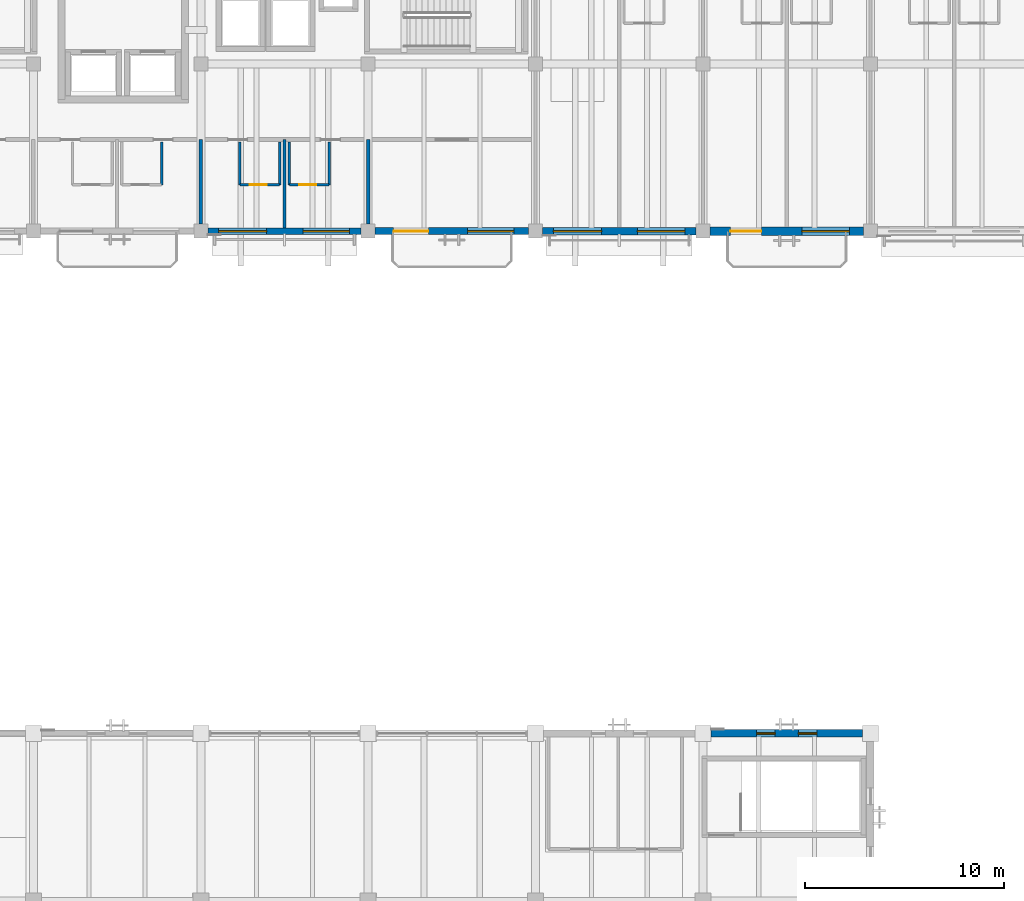
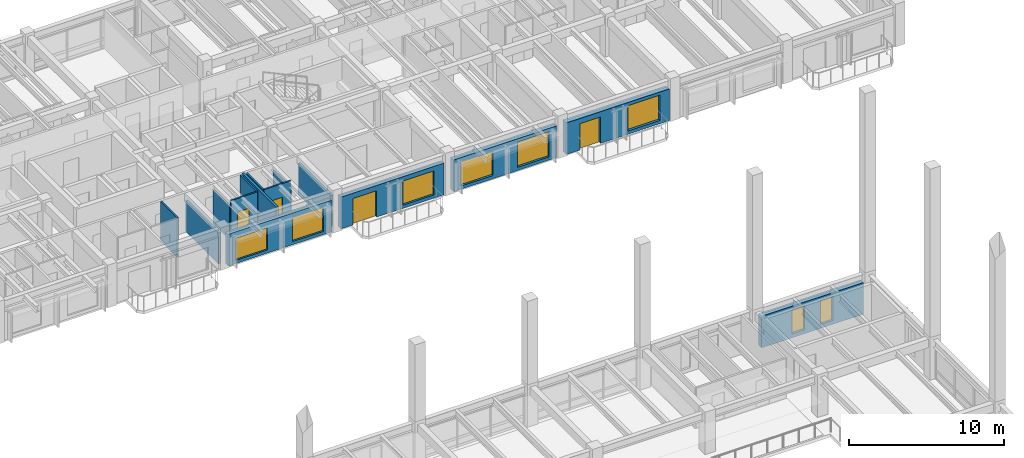
# One storey, part 35 of 64: 15 walls, 8 windows, 4 doors, 12 openings.
"""IFC4 building model written with IfcOpenShell, lengths in metres."""

import ifcopenshell
import ifcopenshell.guid

model = None  # the IFC model being written
_history = None  # IfcOwnerHistory: only IFC2X3 demands one
_inside = {}  # id of a spatial element -> (the spatial element, [elements in it])
_under = {}  # id of a project, library or spatial element -> (it, [spatial elements below it])
_declared = {}  # id of a project -> (the project, [libraries it declares])
_typed = {}  # id of a type object -> (the type object, [elements of that type])
_made_of = {}  # id of a material, layer set ... -> (it, [elements and type objects made of it])


def new_model(schema):
    """Start an empty IFC model of exactly this schema.

    Asked for "IFC4X3", IfcOpenShell would pick the latest addendum, in which some entities
    have other attributes; the version numbers below select the first issue.
    IFC2X3 requires an IfcOwnerHistory on every rooted entity: one is made here for all.
    """
    global model, _history
    if schema == "IFC4X3":
        model = ifcopenshell.file(schema_version=(4, 3, 0, 0))
    else:
        model = ifcopenshell.file(schema=schema)
    _inside.clear()
    _under.clear()
    _declared.clear()
    _typed.clear()
    _made_of.clear()
    _history = None
    if model.schema == "IFC2X3":
        org = make("IfcOrganization", Name="unknown")
        user = make(
            "IfcPersonAndOrganization",
            ThePerson=make("IfcPerson", FamilyName="unknown"),
            TheOrganization=org,
        )
        app = make(
            "IfcApplication",
            ApplicationDeveloper=org,
            Version="unknown",
            ApplicationFullName="unknown",
            ApplicationIdentifier="unknown",
        )
        _history = make(
            "IfcOwnerHistory",
            OwningUser=user,
            OwningApplication=app,
            ChangeAction="ADDED",
            CreationDate=0,
        )
    return model


def make(cls, **values):
    """One entity of the class cls with the attributes given. An attribute that is None is left unset."""
    return model.create_entity(
        cls, **{name: value for name, value in values.items() if value is not None}
    )


def rooted(cls, **values):
    """An entity with a GlobalId (a new one), such as an element, a storey or a relation."""
    return make(cls, GlobalId=ifcopenshell.guid.new(), OwnerHistory=_history, **values)


def si_unit(unit_type, name, prefix=None):
    """IfcSIUnit, for example si_unit("LENGTHUNIT", "METRE", prefix="MILLI")."""
    return make("IfcSIUnit", UnitType=unit_type, Prefix=prefix, Name=name)


def assignment(units):
    """IfcUnitAssignment: the units of a project."""
    return None if units is None else make("IfcUnitAssignment", Units=units)


def point(xyz):
    """IfcCartesianPoint."""
    return None if xyz is None else make("IfcCartesianPoint", Coordinates=xyz)


def direction(xyz):
    """IfcDirection."""
    return None if xyz is None else make("IfcDirection", DirectionRatios=xyz)


def frame(location, z_axis=None, x_axis=None):
    """IfcAxis2Placement3D, a coordinate frame: its origin and axes. An axis left out is left unset."""
    return make(
        "IfcAxis2Placement3D",
        Location=point(location),
        Axis=direction(z_axis),
        RefDirection=direction(x_axis),
    )


def frame_2d(location, x_axis=None):
    """IfcAxis2Placement2D, a coordinate frame in the plane: its origin and x axis."""
    return make(
        "IfcAxis2Placement2D", Location=point(location), RefDirection=direction(x_axis)
    )


def origin():
    """The frame at (0, 0, 0) with its axes left unset."""
    return frame((0.0, 0.0, 0.0))


def place(relative_to, where):
    """IfcLocalPlacement: puts the frame where relative to a parent placement (None: the world)."""
    return make(
        "IfcLocalPlacement", PlacementRelTo=relative_to, RelativePlacement=where
    )


def context(
    kind, dimensions, precision=None, world=None, true_north=None, identifier=None
):
    """IfcGeometricRepresentationContext, for example the 3D "Model" context."""
    return make(
        "IfcGeometricRepresentationContext",
        ContextIdentifier=identifier,
        ContextType=kind,
        CoordinateSpaceDimension=dimensions,
        Precision=precision,
        WorldCoordinateSystem=world,
        TrueNorth=true_north,
    )


def subcontext(parent, identifier, kind, view, scale=None):
    """IfcGeometricRepresentationSubContext, for example "Body" below "Model"."""
    return make(
        "IfcGeometricRepresentationSubContext",
        ContextIdentifier=identifier,
        ContextType=kind,
        ParentContext=parent,
        TargetScale=scale,
        TargetView=view,
    )


def project(units=None, contexts=None):
    """IfcProject with its units and contexts."""
    return rooted(
        "IfcProject",
        Name="project",
        RepresentationContexts=contexts,
        UnitsInContext=assignment(units),
    )


def spatial(cls, under=None, at=None, **own):
    """A site, building, storey or space (cls), placed at a placement, below another one or the project."""
    s = rooted(cls, ObjectPlacement=at, **own)
    if under is not None:
        _under.setdefault(under.id(), (under, []))[1].append(s)
    return s


def profile(cls, at=None, kind="AREA", **sizes):
    """A parametric profile (cls). Its sizes go by their IFC names, for example OverallWidth=200.0."""
    return make(cls, ProfileType=kind, Position=at, **sizes)


def rectangle(**sizes):
    """IfcRectangleProfileDef."""
    return profile("IfcRectangleProfileDef", **sizes)


def extrude(swept, where, along, depth):
    """IfcExtrudedAreaSolid: the profile swept, set in the frame where, extruded along a direction by depth."""
    return make(
        "IfcExtrudedAreaSolid",
        SweptArea=swept,
        Position=where,
        ExtrudedDirection=direction(along),
        Depth=depth,
    )


def shape(context_of_items, identifier, shape_type, items):
    """IfcShapeRepresentation: the items that make up one representation, for example the "Body"."""
    return make(
        "IfcShapeRepresentation",
        ContextOfItems=context_of_items,
        RepresentationIdentifier=identifier,
        RepresentationType=shape_type,
        Items=items,
    )


def material(Name=None, Category=None):
    """IfcMaterial."""
    return make("IfcMaterial", Name=Name, Category=Category)


def layer(
    of_material, thickness, ventilated=None, Name=None, Category=None, Priority=None
):
    """IfcMaterialLayer: one layer of a wall or slab, of a material (None: an air gap)."""
    return make(
        "IfcMaterialLayer",
        Material=of_material,
        LayerThickness=thickness,
        IsVentilated=ventilated,
        Name=Name,
        Category=Category,
        Priority=Priority,
    )


def layer_set(layers, Name=None):
    """IfcMaterialLayerSet."""
    return make("IfcMaterialLayerSet", MaterialLayers=layers, LayerSetName=Name)


def made_of(thing, what):
    """Note that an element or type object is made of a material, layer set ...; save() writes the relation."""
    if what is not None:
        _made_of.setdefault(what.id(), (what, []))[1].append(thing)
    return thing


def type_object(cls, material=None, **own):
    """A type object (cls), such as IfcWallType, which elements share."""
    return made_of(rooted(cls, **own), material)


def element(
    cls,
    number,
    at=None,
    inside=None,
    cuts=None,
    type_object=None,
    material=None,
    context=None,
    identifier="Body",
    shape_type=None,
    held_by="IfcProductDefinitionShape",
    body=None,
    shapes=None,
    **own,
):
    """One element of the class cls, such as IfcWall. Its Tag is "e" and its number.

    at: its placement. inside: the storey or other place that contains it. cuts: it is an
    opening in that element (IfcRelVoidsElement). A single representation is given by context,
    identifier, shape_type and body (its items); several are given by shapes. held_by: the class
    of the entity that holds the representations. save() writes the other relations.
    """
    e = rooted(cls, Tag="e%d" % number, ObjectPlacement=at, **own)
    if body is not None:
        shapes = [shape(context, identifier, shape_type, body)]
    if shapes is not None:
        e.Representation = make(held_by, Representations=shapes)
    if inside is not None:
        _inside.setdefault(inside.id(), (inside, []))[1].append(e)
    if cuts is not None:
        rooted(
            "IfcRelVoidsElement", RelatingBuildingElement=cuts, RelatedOpeningElement=e
        )
    if type_object is not None:
        _typed.setdefault(type_object.id(), (type_object, []))[1].append(e)
    return made_of(e, material)


def fill(opening, filler):
    """IfcRelFillsElement: the door or window that sits in an opening."""
    return rooted(
        "IfcRelFillsElement",
        RelatingOpeningElement=opening,
        RelatedBuildingElement=filler,
    )


def aggregate(whole, parts):
    """IfcRelAggregates: a whole, such as a stair, and the parts it consists of."""
    return rooted("IfcRelAggregates", RelatingObject=whole, RelatedObjects=parts)


def save(model, path):
    """Write the relations noted so far, then the file.

    IfcRelAggregates (storeys below a building ...), IfcRelContainedInSpatialStructure (elements
    in a storey), IfcRelDefinesByType, IfcRelAssociatesMaterial and IfcRelDeclares: one each for
    every whole, place, type object, material and project.
    """
    for whole, parts in _under.values():
        aggregate(whole, parts)
    for where, things in _inside.values():
        rooted(
            "IfcRelContainedInSpatialStructure",
            RelatedElements=things,
            RelatingStructure=where,
        )
    for kind, things in _typed.values():
        rooted("IfcRelDefinesByType", RelatedObjects=things, RelatingType=kind)
    for what, things in _made_of.values():
        rooted("IfcRelAssociatesMaterial", RelatedObjects=things, RelatingMaterial=what)
    for by, libraries in _declared.values():
        rooted("IfcRelDeclares", RelatingContext=by, RelatedDefinitions=libraries)
    model.write(path)


model = new_model("IFC4")

# Units and contexts
model_context = context("Model", 3, precision=1e-05, world=origin(), true_north=direction((0.0, 1.0)))
body_context = subcontext(model_context, "Body", "Model", "MODEL_VIEW")
ifc_project = project(units=[si_unit("LENGTHUNIT", "METRE"), si_unit("AREAUNIT", "SQUARE_METRE"), si_unit("VOLUMEUNIT", "CUBIC_METRE"), si_unit("PLANEANGLEUNIT", "RADIAN"), si_unit("MASSUNIT", "GRAM", prefix="KILO")], contexts=[model_context])

# Site, building, storey
site_placement = place(None, origin())
site = spatial("IfcSite", under=ifc_project, at=site_placement, CompositionType="ELEMENT")
building_placement = place(site_placement, origin())
building = spatial("IfcBuilding", under=site, at=building_placement, Name="Cumbredor Promenade Congress Hotel", CompositionType="ELEMENT")
storey_placement = place(building_placement, frame((0.0, 0.0, 18.47998046875)))
storey = spatial("IfcBuildingStorey", under=building, at=storey_placement, Name="L05", CompositionType="ELEMENT", Elevation=18.47998046875)

# Wall
ifc_material_1 = material(Name="Moisture-resistant gypsum board on steel studs", Category="steel")
ifc_layer_1 = layer(ifc_material_1, 0.114990234375, Name="Moisture-resistant gypsum board on steel studs", Category="steel")
ifc_layer_set_1 = layer_set([ifc_layer_1], Name="Moisture-resistant gypsum board on steel studs")
wall_type_1 = type_object("IfcWallType", Name="WL-BATH-115", PredefinedType="PARTITIONING", material=ifc_layer_set_1)
wall_1_placement = place(storey_placement, frame((31.639892578125, 94.72998046875, 0.0), z_axis=(0.0, 0.0, 1.0), x_axis=(0.0, 1.0, 0.0)))
element("IfcWall", 1, at=wall_1_placement, inside=storey, type_object=wall_type_1, Name="L05 Interior Partition W-L05-BV2-0578", PredefinedType="PARTITIONING", context=body_context, shape_type="SweptSolid", body=[
    extrude(rectangle(XDim=2.14990234375, YDim=0.114990234375, at=frame_2d((1.074951171875, 0.0))), origin(), (0.0, 0.0, 1.0), 3.1201171875),
])

# Wall, opening, door
wall_2_placement = place(storey_placement, frame((35.56005859375, 94.72998046875, 0.0), z_axis=(0.0, 0.0, 1.0), x_axis=(1.0, 0.0, 0.0)))
wall_2 = element("IfcWall", 2, at=wall_2_placement, inside=storey, type_object=wall_type_1, Name="L05 Interior Partition W-L05-BH-0579", PredefinedType="PARTITIONING", context=body_context, shape_type="SweptSolid", body=[
    extrude(rectangle(XDim=2.0, YDim=0.114990234375, at=frame_2d((1.0, 0.0))), origin(), (0.0, 0.0, 1.0), 3.1201171875),
])
opening_1_placement = place(wall_2_placement, frame((0.5, 0.0, 0.0)))
opening_1 = element("IfcOpeningElement", 3, at=opening_1_placement, cuts=wall_2, Name="Opening ID-01", PredefinedType="OPENING", context=body_context, shape_type="SweptSolid", body=[
    extrude(rectangle(XDim=0.860107421875, YDim=2.050048828125, at=frame_2d((0.43017578125, 1.02490234375))), frame((0.0, 0.0673828125, 0.0), z_axis=(0.0, -1.0, 0.0), x_axis=(1.0, 0.0, 0.0)), (0.0, 0.0, 1.0), 0.135009765625),
])
ifc_material_2 = material(Name="Kiln-dried tropical hardwood", Category="wood")
door_type_1 = type_object("IfcDoorType", Name="DR-BATH-860", OperationType="NOTDEFINED", PredefinedType="DOOR", material=ifc_material_2)
door_1_placement = place(opening_1_placement, origin())
door_1 = element("IfcDoor", 4, at=door_1_placement, inside=storey, type_object=door_type_1, Name="L05 Interior Door W-L05-BH-0579-01", OperationType="SINGLE_SWING_LEFT", OverallHeight=2.050048828125, OverallWidth=0.860107421875, PredefinedType="DOOR", context=body_context, shape_type="SweptSolid", body=[
    extrude(rectangle(XDim=0.860107421875, YDim=2.050048828125, at=frame_2d((0.43017578125, 1.02490234375))), frame((0.0, 0.02490234375, 0.0), z_axis=(0.0, -1.0, 0.0), x_axis=(1.0, 0.0, 0.0)), (0.0, 0.0, 1.0), 0.050048828125),
])
fill(opening_1, door_1)

# Walls
wall_3_placement = place(storey_placement, frame((35.56005859375, 94.72998046875, 0.0), z_axis=(0.0, 0.0, 1.0), x_axis=(0.0, 1.0, 0.0)))
element("IfcWall", 5, at=wall_3_placement, inside=storey, type_object=wall_type_1, Name="L05 Interior Partition W-L05-BV1-0579", PredefinedType="PARTITIONING", context=body_context, shape_type="SweptSolid", body=[
    extrude(rectangle(XDim=2.14990234375, YDim=0.114990234375, at=frame_2d((1.074951171875, 0.0))), origin(), (0.0, 0.0, 1.0), 2.64208984375),
])
wall_4_placement = place(storey_placement, frame((37.56005859375, 94.72998046875, 0.0), z_axis=(0.0, 0.0, 1.0), x_axis=(0.0, 1.0, 0.0)))
element("IfcWall", 6, at=wall_4_placement, inside=storey, type_object=wall_type_1, Name="L05 Interior Partition W-L05-BV2-0579", PredefinedType="PARTITIONING", context=body_context, shape_type="SweptSolid", body=[
    extrude(rectangle(XDim=2.14990234375, YDim=0.114990234375, at=frame_2d((1.074951171875, 0.0))), origin(), (0.0, 0.0, 1.0), 3.1201171875),
])

# Wall, opening, door
wall_5_placement = place(storey_placement, frame((38.0400390625, 94.72998046875, 0.0), z_axis=(0.0, 0.0, 1.0), x_axis=(1.0, 0.0, 0.0)))
wall_5 = element("IfcWall", 7, at=wall_5_placement, inside=storey, type_object=wall_type_1, Name="L05 Interior Partition W-L05-BH-05710", PredefinedType="PARTITIONING", context=body_context, shape_type="SweptSolid", body=[
    extrude(rectangle(XDim=2.0, YDim=0.114990234375, at=frame_2d((1.0, 0.0))), origin(), (0.0, 0.0, 1.0), 3.1201171875),
])
opening_2_placement = place(wall_5_placement, frame((0.5, 0.0, 0.0)))
opening_2 = element("IfcOpeningElement", 8, at=opening_2_placement, cuts=wall_5, Name="Opening ID-01", PredefinedType="OPENING", context=body_context, shape_type="SweptSolid", body=[
    extrude(rectangle(XDim=0.860107421875, YDim=2.050048828125, at=frame_2d((0.43017578125, 1.02490234375))), frame((0.0, 0.0673828125, 0.0), z_axis=(0.0, -1.0, 0.0), x_axis=(1.0, 0.0, 0.0)), (0.0, 0.0, 1.0), 0.135009765625),
])
door_2_placement = place(opening_2_placement, origin())
door_2 = element("IfcDoor", 9, at=door_2_placement, inside=storey, type_object=door_type_1, Name="L05 Interior Door W-L05-BH-05710-01", OperationType="SINGLE_SWING_RIGHT", OverallHeight=2.050048828125, OverallWidth=0.860107421875, PredefinedType="DOOR", context=body_context, shape_type="SweptSolid", body=[
    extrude(rectangle(XDim=0.860107421875, YDim=2.050048828125, at=frame_2d((0.43017578125, 1.02490234375))), frame((0.0, 0.02490234375, 0.0), z_axis=(0.0, -1.0, 0.0), x_axis=(1.0, 0.0, 0.0)), (0.0, 0.0, 1.0), 0.050048828125),
])
fill(opening_2, door_2)

# Walls
wall_6_placement = place(storey_placement, frame((38.0400390625, 94.72998046875, 0.0), z_axis=(0.0, 0.0, 1.0), x_axis=(0.0, 1.0, 0.0)))
element("IfcWall", 10, at=wall_6_placement, inside=storey, type_object=wall_type_1, Name="L05 Interior Partition W-L05-BV1-05710", PredefinedType="PARTITIONING", context=body_context, shape_type="SweptSolid", body=[
    extrude(rectangle(XDim=2.14990234375, YDim=0.114990234375, at=frame_2d((1.074951171875, 0.0))), origin(), (0.0, 0.0, 1.0), 3.1201171875),
])
wall_7_placement = place(storey_placement, frame((40.0400390625, 94.72998046875, 0.0), z_axis=(0.0, 0.0, 1.0), x_axis=(0.0, 1.0, 0.0)))
element("IfcWall", 11, at=wall_7_placement, inside=storey, type_object=wall_type_1, Name="L05 Interior Partition W-L05-BV2-05710", PredefinedType="PARTITIONING", context=body_context, shape_type="SweptSolid", body=[
    extrude(rectangle(XDim=2.14990234375, YDim=0.114990234375, at=frame_2d((1.074951171875, 0.0))), origin(), (0.0, 0.0, 1.0), 2.64208984375),
])

# Wall, openings, windows
ifc_material_3 = material(Name="Concrete C40/50", Category="concrete")
ifc_layer_2 = layer(ifc_material_3, 0.324951171875, Name="Concrete C40/50", Category="concrete")
ifc_layer_set_2 = layer_set([ifc_layer_2], Name="Concrete C40/50")
wall_type_2 = type_object("IfcWallType", Name="WL-EXT-325", PredefinedType="SOLIDWALL", material=ifc_layer_set_2)
wall_8_placement = place(storey_placement, frame((33.950927734375, 92.39990234375, 0.0), z_axis=(0.0, 0.0, 1.0), x_axis=(1.0, 0.0, 0.0)))
wall_8 = element("IfcWall", 12, at=wall_8_placement, inside=storey, type_object=wall_type_2, Name="L05 Stepped Congress Hotel Wing South Envelope Wall 5", PredefinedType="SOLIDWALL", context=body_context, shape_type="SweptSolid", body=[
    extrude(rectangle(XDim=7.697998046875, YDim=0.324951171875, at=frame_2d((3.84912109375, 0.0))), origin(), (0.0, 0.0, 1.0), 2.494140625),
])
opening_3_placement = place(wall_8_placement, frame((0.549072265625, 0.0, 0.25)))
opening_3 = element("IfcOpeningElement", 13, at=opening_3_placement, cuts=wall_8, Name="Opening WN-26", PredefinedType="OPENING", context=body_context, shape_type="SweptSolid", body=[
    extrude(rectangle(XDim=2.39990234375, YDim=1.75, at=frame_2d((1.199951171875, 0.875))), frame((0.0, 0.17236328125, 0.0), z_axis=(0.0, -1.0, 0.0), x_axis=(1.0, 0.0, 0.0)), (0.0, 0.0, 1.0), 0.344970703125),
])
opening_4_placement = place(wall_8_placement, frame((4.7890625, 0.0, 0.25)))
opening_4 = element("IfcOpeningElement", 14, at=opening_4_placement, cuts=wall_8, Name="Opening WN-36", PredefinedType="OPENING", context=body_context, shape_type="SweptSolid", body=[
    extrude(rectangle(XDim=2.320068359375, YDim=1.89990234375, at=frame_2d((1.16015625, 0.949951171875))), frame((0.0, 0.17236328125, 0.0), z_axis=(0.0, -1.0, 0.0), x_axis=(1.0, 0.0, 0.0)), (0.0, 0.0, 1.0), 0.344970703125),
])
ifc_material_4 = material(Name="Thermally broken anodized aluminium and low-E glass", Category="aluminium")
window_type_1 = type_object("IfcWindowType", Name="Hospitality Floor-to-Ceiling Window WN-26 2400x1750", PartitioningType="DOUBLE_PANEL_VERTICAL", PredefinedType="WINDOW", material=ifc_material_4)
window_1_placement = place(opening_3_placement, origin())
window_1 = element("IfcWindow", 15, at=window_1_placement, inside=storey, type_object=window_type_1, Name="L05 Wide Hospitality Window 0548", OverallHeight=1.75, OverallWidth=2.39990234375, PartitioningType="DOUBLE_PANEL_VERTICAL", PredefinedType="WINDOW", context=body_context, shape_type="SweptSolid", body=[
    extrude(rectangle(XDim=2.39990234375, YDim=1.75, at=frame_2d((1.199951171875, 0.875))), frame((0.0, 0.030029296875, 0.0), z_axis=(0.0, -1.0, 0.0), x_axis=(1.0, 0.0, 0.0)), (0.0, 0.0, 1.0), 0.06005859375),
])
fill(opening_3, window_1)
window_type_2 = type_object("IfcWindowType", Name="Hospitality Floor-to-Ceiling Window WN-36 2320x1900", PartitioningType="DOUBLE_PANEL_VERTICAL", PredefinedType="WINDOW", material=ifc_material_4)
window_2_placement = place(opening_4_placement, origin())
window_2 = element("IfcWindow", 16, at=window_2_placement, inside=storey, type_object=window_type_2, Name="L05 Wide Hospitality Window 0549", OverallHeight=1.89990234375, OverallWidth=2.320068359375, PartitioningType="DOUBLE_PANEL_VERTICAL", PredefinedType="WINDOW", context=body_context, shape_type="SweptSolid", body=[
    extrude(rectangle(XDim=2.320068359375, YDim=1.89990234375, at=frame_2d((1.16015625, 0.949951171875))), frame((0.0, 0.030029296875, 0.0), z_axis=(0.0, -1.0, 0.0), x_axis=(1.0, 0.0, 0.0)), (0.0, 0.0, 1.0), 0.06005859375),
])
fill(opening_4, window_2)

# Wall, openings, door, window
ifc_layer_3 = layer(ifc_material_3, 0.35009765625, Name="Concrete C40/50", Category="concrete")
ifc_layer_set_3 = layer_set([ifc_layer_3], Name="Concrete C40/50")
wall_type_3 = type_object("IfcWallType", Name="WL-EXT-350", PredefinedType="SOLIDWALL", material=ifc_layer_set_3)
wall_9_placement = place(storey_placement, frame((42.35107421875, 92.39990234375, 0.0), z_axis=(0.0, 0.0, 1.0), x_axis=(1.0, 0.0, 0.0)))
wall_9 = element("IfcWall", 17, at=wall_9_placement, inside=storey, type_object=wall_type_3, Name="L05 Stepped Congress Hotel Wing South Envelope Wall 6", PredefinedType="SOLIDWALL", context=body_context, shape_type="SweptSolid", body=[
    extrude(rectangle(XDim=7.697998046875, YDim=0.35009765625, at=frame_2d((3.84912109375, 0.0))), origin(), (0.0, 0.0, 1.0), 2.494140625),
])
opening_5_placement = place(wall_9_placement, frame((0.924072265625, 0.0, 0.0)))
opening_5 = element("IfcOpeningElement", 18, at=opening_5_placement, cuts=wall_9, Name="Opening TD-03", PredefinedType="OPENING", context=body_context, shape_type="SweptSolid", body=[
    extrude(rectangle(XDim=1.75, YDim=2.080078125, at=frame_2d((0.875, 1.0400390625))), frame((0.0, 0.18505859375, 0.0), z_axis=(0.0, -1.0, 0.0), x_axis=(1.0, 0.0, 0.0)), (0.0, 0.0, 1.0), 0.3701171875),
])
opening_6_placement = place(wall_9_placement, frame((4.638916015625, 0.0, 0.25)))
opening_6 = element("IfcOpeningElement", 19, at=opening_6_placement, cuts=wall_9, Name="Opening WN-36", PredefinedType="OPENING", context=body_context, shape_type="SweptSolid", body=[
    extrude(rectangle(XDim=2.320068359375, YDim=1.89990234375, at=frame_2d((1.16015625, 0.949951171875))), frame((0.0, 0.18505859375, 0.0), z_axis=(0.0, -1.0, 0.0), x_axis=(1.0, 0.0, 0.0)), (0.0, 0.0, 1.0), 0.3701171875),
])
ifc_material_5 = material(Name="Thermally broken anodized aluminium and laminated safety glass", Category="aluminium")
door_type_2 = type_object("IfcDoorType", Name="EXT-DR-TER-1750x2080", OperationType="DOUBLE_DOOR_SINGLE_SWING", PredefinedType="DOOR", material=ifc_material_5)
door_3_placement = place(opening_5_placement, frame((1.75, 0.0, 0.0), z_axis=(0.0, 0.0, 1.0), x_axis=(-1.0, 0.0, 0.0)))
door_3 = element("IfcDoor", 20, at=door_3_placement, inside=storey, type_object=door_type_2, Name="L05 Guestroom Veranda Balcony Door 059", OperationType="DOUBLE_DOOR_SINGLE_SWING", OverallHeight=2.080078125, OverallWidth=1.75, PredefinedType="DOOR", context=body_context, shape_type="SweptSolid", body=[
    extrude(rectangle(XDim=1.75, YDim=2.080078125, at=frame_2d((0.875, 1.0400390625))), frame((0.0, 0.02490234375, 0.0), z_axis=(0.0, -1.0, 0.0), x_axis=(1.0, 0.0, 0.0)), (0.0, 0.0, 1.0), 0.050048828125),
])
fill(opening_5, door_3)
window_3_placement = place(opening_6_placement, origin())
window_3 = element("IfcWindow", 21, at=window_3_placement, inside=storey, type_object=window_type_2, Name="L05 Veranda Companion Floor-to-Ceiling Window 0550", OverallHeight=1.89990234375, OverallWidth=2.320068359375, PartitioningType="DOUBLE_PANEL_VERTICAL", PredefinedType="WINDOW", context=body_context, shape_type="SweptSolid", body=[
    extrude(rectangle(XDim=2.320068359375, YDim=1.89990234375, at=frame_2d((1.16015625, 0.949951171875))), frame((0.0, 0.030029296875, 0.0), z_axis=(0.0, -1.0, 0.0), x_axis=(1.0, 0.0, 0.0)), (0.0, 0.0, 1.0), 0.06005859375),
])
fill(opening_6, window_3)

# Wall, openings, windows
ifc_layer_4 = layer(ifc_material_3, 0.3798828125, Name="Concrete C40/50", Category="concrete")
ifc_layer_set_4 = layer_set([ifc_layer_4], Name="Concrete C40/50")
wall_type_4 = type_object("IfcWallType", Name="WL-EXT-380", PredefinedType="SOLIDWALL", material=ifc_layer_set_4)
wall_10_placement = place(storey_placement, frame((59.200927734375, 67.199951171875, 0.0), z_axis=(0.0, 0.0, 1.0), x_axis=(1.0, 0.0, 0.0)))
wall_10 = element("IfcWall", 22, at=wall_10_placement, inside=storey, type_object=wall_type_4, Name="L05 Plenary Congress Hall North Envelope Wall 7", PredefinedType="SOLIDWALL", context=body_context, shape_type="SweptSolid", body=[
    extrude(rectangle(XDim=7.59814453125, YDim=0.3798828125, at=frame_2d((3.799072265625, 0.0))), origin(), (0.0, 0.0, 1.0), 2.494140625),
])
opening_7_placement = place(wall_10_placement, frame((2.283935546875, 0.0, 0.300048828125)))
opening_7 = element("IfcOpeningElement", 23, at=opening_7_placement, cuts=wall_10, Name="Opening WN-68", PredefinedType="OPENING", context=body_context, shape_type="SweptSolid", body=[
    extrude(rectangle(XDim=0.929931640625, YDim=1.89990234375, at=frame_2d((0.46484375, 0.949951171875))), frame((0.0, 0.199951171875, 0.0), z_axis=(0.0, -1.0, 0.0), x_axis=(1.0, 0.0, 0.0)), (0.0, 0.0, 1.0), 0.39990234375),
])
opening_8_placement = place(wall_10_placement, frame((4.384033203125, 0.0, 0.300048828125)))
opening_8 = element("IfcOpeningElement", 24, at=opening_8_placement, cuts=wall_10, Name="Opening WN-68", PredefinedType="OPENING", context=body_context, shape_type="SweptSolid", body=[
    extrude(rectangle(XDim=0.929931640625, YDim=1.89990234375, at=frame_2d((0.46484375, 0.949951171875))), frame((0.0, 0.199951171875, 0.0), z_axis=(0.0, -1.0, 0.0), x_axis=(1.0, 0.0, 0.0)), (0.0, 0.0, 1.0), 0.39990234375),
])
window_type_3 = type_object("IfcWindowType", Name="Vertical Slot Window WN-68 930x1900", PartitioningType="SINGLE_PANEL", PredefinedType="WINDOW", material=ifc_material_4)
window_4_placement = place(opening_7_placement, origin())
window_4 = element("IfcWindow", 25, at=window_4_placement, inside=storey, type_object=window_type_3, Name="L05 Vertical Slot Window 0532", OverallHeight=1.89990234375, OverallWidth=0.929931640625, PartitioningType="SINGLE_PANEL", PredefinedType="WINDOW", context=body_context, shape_type="SweptSolid", body=[
    extrude(rectangle(XDim=0.929931640625, YDim=1.89990234375, at=frame_2d((0.46484375, 0.949951171875))), frame((0.0, 0.030029296875, 0.0), z_axis=(0.0, -1.0, 0.0), x_axis=(1.0, 0.0, 0.0)), (0.0, 0.0, 1.0), 0.06005859375),
])
fill(opening_7, window_4)
window_5_placement = place(opening_8_placement, origin())
window_5 = element("IfcWindow", 26, at=window_5_placement, inside=storey, type_object=window_type_3, Name="L05 Vertical Slot Window 0533", OverallHeight=1.89990234375, OverallWidth=0.929931640625, PartitioningType="SINGLE_PANEL", PredefinedType="WINDOW", context=body_context, shape_type="SweptSolid", body=[
    extrude(rectangle(XDim=0.929931640625, YDim=1.89990234375, at=frame_2d((0.46484375, 0.949951171875))), frame((0.0, 0.030029296875, 0.0), z_axis=(0.0, -1.0, 0.0), x_axis=(1.0, 0.0, 0.0)), (0.0, 0.0, 1.0), 0.06005859375),
])
fill(opening_8, window_5)

wall_11_placement = place(storey_placement, frame((50.7509765625, 92.39990234375, 0.0), z_axis=(0.0, 0.0, 1.0), x_axis=(1.0, 0.0, 0.0)))
wall_11 = element("IfcWall", 27, at=wall_11_placement, inside=storey, type_object=wall_type_4, Name="L05 Stepped Congress Hotel Wing South Envelope Wall 7", PredefinedType="SOLIDWALL", context=body_context, shape_type="SweptSolid", body=[
    extrude(rectangle(XDim=7.697998046875, YDim=0.3798828125, at=frame_2d((3.84912109375, 0.0))), origin(), (0.0, 0.0, 1.0), 2.494140625),
])
opening_9_placement = place(wall_11_placement, frame((0.5390625, 0.0, 0.25)))
opening_9 = element("IfcOpeningElement", 28, at=opening_9_placement, cuts=wall_11, Name="Opening WN-37", PredefinedType="OPENING", context=body_context, shape_type="SweptSolid", body=[
    extrude(rectangle(XDim=2.419921875, YDim=1.89990234375, at=frame_2d((1.2099609375, 0.949951171875))), frame((0.0, 0.199951171875, 0.0), z_axis=(0.0, -1.0, 0.0), x_axis=(1.0, 0.0, 0.0)), (0.0, 0.0, 1.0), 0.39990234375),
])
opening_10_placement = place(wall_11_placement, frame((4.759033203125, 0.0, 0.25)))
opening_10 = element("IfcOpeningElement", 29, at=opening_10_placement, cuts=wall_11, Name="Opening WN-41", PredefinedType="OPENING", context=body_context, shape_type="SweptSolid", body=[
    extrude(rectangle(XDim=2.3798828125, YDim=2.0, at=frame_2d((1.18994140625, 1.0))), frame((0.0, 0.199951171875, 0.0), z_axis=(0.0, -1.0, 0.0), x_axis=(1.0, 0.0, 0.0)), (0.0, 0.0, 1.0), 0.39990234375),
])
window_type_4 = type_object("IfcWindowType", Name="Hospitality Floor-to-Ceiling Window WN-37 2420x1900", PartitioningType="DOUBLE_PANEL_VERTICAL", PredefinedType="WINDOW", material=ifc_material_4)
window_6_placement = place(opening_9_placement, origin())
window_6 = element("IfcWindow", 30, at=window_6_placement, inside=storey, type_object=window_type_4, Name="L05 Wide Hospitality Window 0551", OverallHeight=1.89990234375, OverallWidth=2.419921875, PartitioningType="DOUBLE_PANEL_VERTICAL", PredefinedType="WINDOW", context=body_context, shape_type="SweptSolid", body=[
    extrude(rectangle(XDim=2.419921875, YDim=1.89990234375, at=frame_2d((1.2099609375, 0.949951171875))), frame((0.0, 0.030029296875, 0.0), z_axis=(0.0, -1.0, 0.0), x_axis=(1.0, 0.0, 0.0)), (0.0, 0.0, 1.0), 0.06005859375),
])
fill(opening_9, window_6)
window_type_5 = type_object("IfcWindowType", Name="Hospitality Floor-to-Ceiling Window WN-41 2380x2000", PartitioningType="DOUBLE_PANEL_VERTICAL", PredefinedType="WINDOW", material=ifc_material_4)
window_7_placement = place(opening_10_placement, origin())
window_7 = element("IfcWindow", 31, at=window_7_placement, inside=storey, type_object=window_type_5, Name="L05 Wide Hospitality Window 0552", OverallHeight=2.0, OverallWidth=2.3798828125, PartitioningType="DOUBLE_PANEL_VERTICAL", PredefinedType="WINDOW", context=body_context, shape_type="SweptSolid", body=[
    extrude(rectangle(XDim=2.3798828125, YDim=2.0, at=frame_2d((1.18994140625, 1.0))), frame((0.0, 0.030029296875, 0.0), z_axis=(0.0, -1.0, 0.0), x_axis=(1.0, 0.0, 0.0)), (0.0, 0.0, 1.0), 0.06005859375),
])
fill(opening_10, window_7)

# Wall, openings, door, window
ifc_layer_5 = layer(ifc_material_3, 0.425048828125, Name="Concrete C40/50", Category="concrete")
ifc_layer_set_5 = layer_set([ifc_layer_5], Name="Concrete C40/50")
wall_type_5 = type_object("IfcWallType", Name="WL-EXT-425", PredefinedType="SOLIDWALL", material=ifc_layer_set_5)
wall_12_placement = place(storey_placement, frame((59.15087890625, 92.39990234375, 0.0), z_axis=(0.0, 0.0, 1.0), x_axis=(1.0, 0.0, 0.0)))
wall_12 = element("IfcWall", 32, at=wall_12_placement, inside=storey, type_object=wall_type_5, Name="L05 Stepped Congress Hotel Wing South Envelope Wall 8", PredefinedType="SOLIDWALL", context=body_context, shape_type="SweptSolid", body=[
    extrude(rectangle(XDim=7.6982421875, YDim=0.425048828125, at=frame_2d((3.84912109375, 0.0))), origin(), (0.0, 0.0, 1.0), 2.494140625),
])
opening_11_placement = place(wall_12_placement, frame((1.02392578125, 0.0, 0.0)))
opening_11 = element("IfcOpeningElement", 33, at=opening_11_placement, cuts=wall_12, Name="Opening TD-01", PredefinedType="OPENING", context=body_context, shape_type="SweptSolid", body=[
    extrude(rectangle(XDim=1.550048828125, YDim=2.080078125, at=frame_2d((0.77490234375, 1.0400390625))), frame((0.0, 0.22265625, 0.0), z_axis=(0.0, -1.0, 0.0), x_axis=(1.0, 0.0, 0.0)), (0.0, 0.0, 1.0), 0.445068359375),
])
opening_12_placement = place(wall_12_placement, frame((4.60888671875, 0.0, 0.25)))
opening_12 = element("IfcOpeningElement", 34, at=opening_12_placement, cuts=wall_12, Name="Opening WN-41", PredefinedType="OPENING", context=body_context, shape_type="SweptSolid", body=[
    extrude(rectangle(XDim=2.3798828125, YDim=2.0, at=frame_2d((1.18994140625, 1.0))), frame((0.0, 0.22265625, 0.0), z_axis=(0.0, -1.0, 0.0), x_axis=(1.0, 0.0, 0.0)), (0.0, 0.0, 1.0), 0.445068359375),
])
door_type_3 = type_object("IfcDoorType", Name="EXT-DR-TER-1550x2080", OperationType="DOUBLE_DOOR_SINGLE_SWING", PredefinedType="DOOR", material=ifc_material_5)
door_4_placement = place(opening_11_placement, frame((1.550048828125, 0.0, 0.0), z_axis=(0.0, 0.0, 1.0), x_axis=(-1.0, 0.0, 0.0)))
door_4 = element("IfcDoor", 35, at=door_4_placement, inside=storey, type_object=door_type_3, Name="L05 Guestroom Veranda Balcony Door 060", OperationType="DOUBLE_DOOR_SINGLE_SWING", OverallHeight=2.080078125, OverallWidth=1.550048828125, PredefinedType="DOOR", context=body_context, shape_type="SweptSolid", body=[
    extrude(rectangle(XDim=1.550048828125, YDim=2.080078125, at=frame_2d((0.77490234375, 1.0400390625))), frame((0.0, 0.02490234375, 0.0), z_axis=(0.0, -1.0, 0.0), x_axis=(1.0, 0.0, 0.0)), (0.0, 0.0, 1.0), 0.050048828125),
])
fill(opening_11, door_4)
window_8_placement = place(opening_12_placement, origin())
window_8 = element("IfcWindow", 36, at=window_8_placement, inside=storey, type_object=window_type_5, Name="L05 Veranda Companion Floor-to-Ceiling Window 0553", OverallHeight=2.0, OverallWidth=2.3798828125, PartitioningType="DOUBLE_PANEL_VERTICAL", PredefinedType="WINDOW", context=body_context, shape_type="SweptSolid", body=[
    extrude(rectangle(XDim=2.3798828125, YDim=2.0, at=frame_2d((1.18994140625, 1.0))), frame((0.0, 0.030029296875, 0.0), z_axis=(0.0, -1.0, 0.0), x_axis=(1.0, 0.0, 0.0)), (0.0, 0.0, 1.0), 0.06005859375),
])
fill(opening_12, window_8)

# Walls
ifc_material_6 = material(Name="Fire-rated acoustic double-stud partition")
ifc_layer_6 = layer(ifc_material_6, 0.1650390625, Name="Fire-rated acoustic double-stud partition")
ifc_layer_set_6 = layer_set([ifc_layer_6], Name="Fire-rated acoustic double-stud partition")
wall_type_6 = type_object("IfcWallType", Name="WL-UNIT-165", PredefinedType="PARTITIONING", material=ifc_layer_set_6)
wall_13_placement = place(storey_placement, frame((37.800048828125, 92.5625, 0.0), z_axis=(0.0, 0.0, 1.0), x_axis=(0.0, 1.0, 0.0)))
element("IfcWall", 37, at=wall_13_placement, inside=storey, type_object=wall_type_6, Name="L05 Interior Partition W-L05-SC-DIV-4-M", PredefinedType="PARTITIONING", context=body_context, shape_type="SweptSolid", body=[
    extrude(rectangle(XDim=4.4375, YDim=0.1650390625, at=frame_2d((2.21875, 0.0))), origin(), (0.0, 0.0, 1.0), 3.1201171875),
])
for number, where, z_axis, x_axis, name in (
    (38, (33.60009765625, 92.75, 0.0), (0.0, 0.0, 1.0), (0.0, 1.0, 0.0), "L05 Interior Partition W-L05-SC-DIV-4-G"),
    (39, (42.0, 92.75, 0.0), (0.0, 0.0, 1.0), (0.0, 1.0, 0.0), "L05 Interior Partition W-L05-SC-DIV-5-G"),
):
    element("IfcWall", number, at=place(storey_placement, frame(where, z_axis=z_axis, x_axis=x_axis)), inside=storey, type_object=wall_type_6, Name=name, PredefinedType="PARTITIONING", context=body_context, shape_type="SweptSolid", body=[
        extrude(rectangle(XDim=4.25, YDim=0.1650390625, at=frame_2d((2.125, 0.0))), origin(), (0.0, 0.0, 1.0), 2.455078125),
    ])

save(model, "model.ifc")
